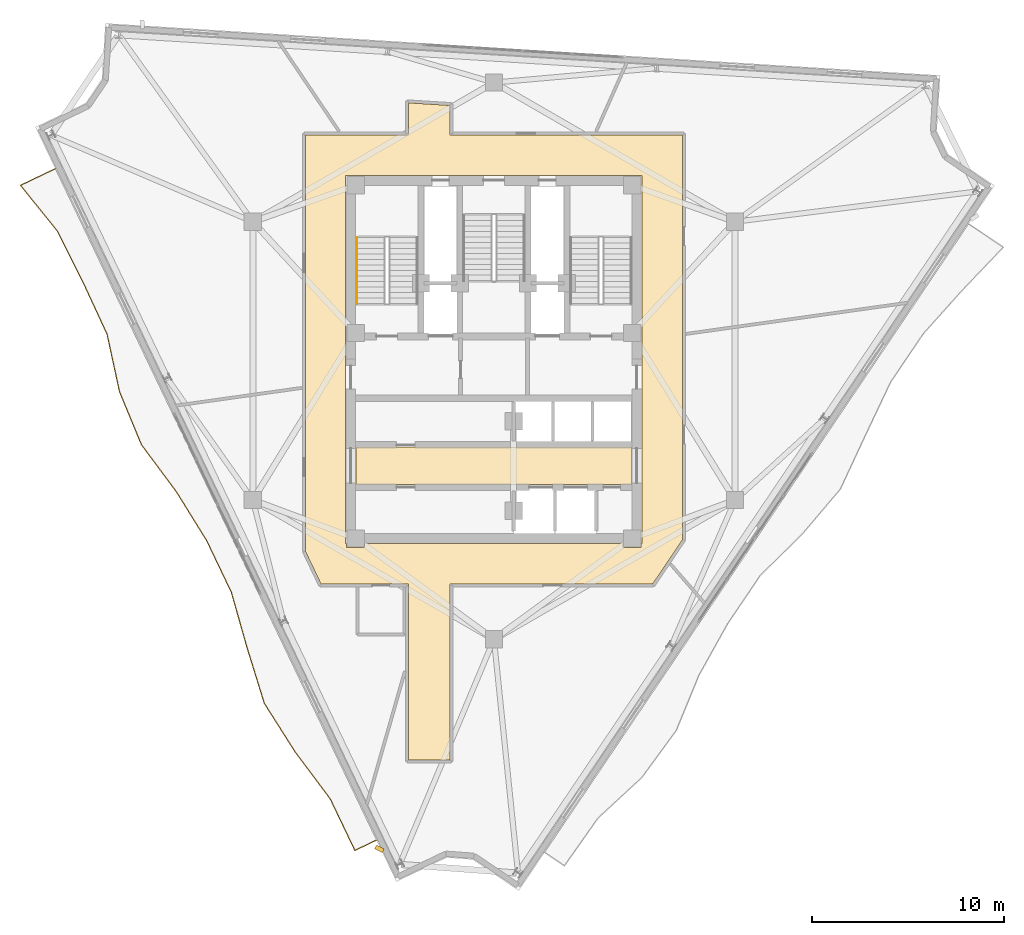
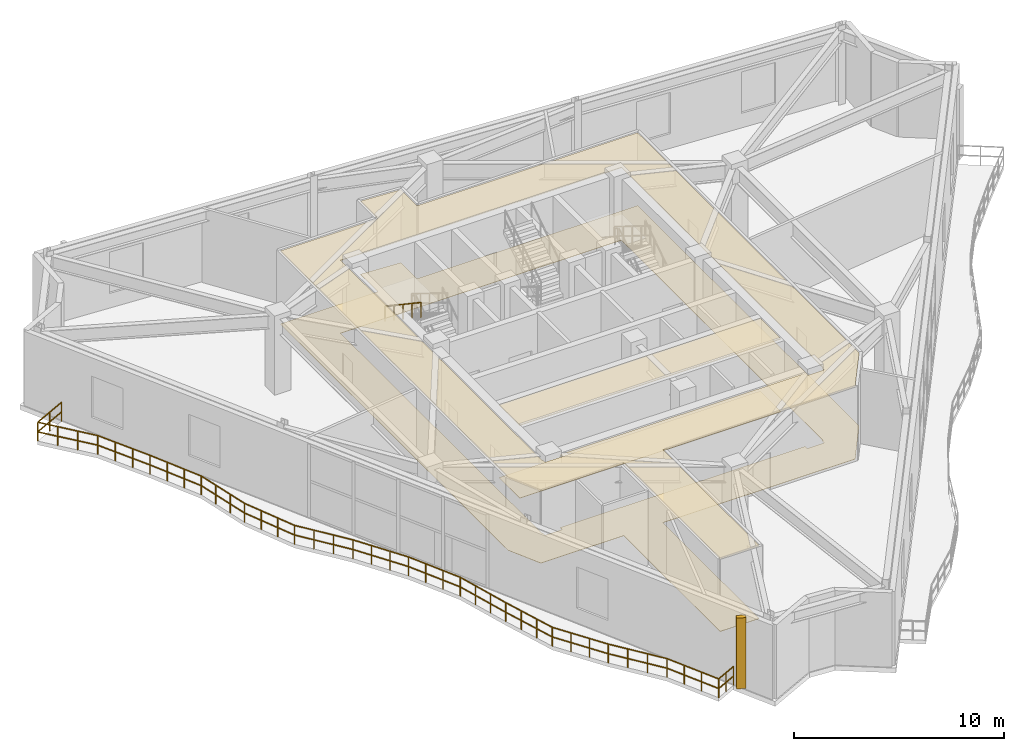
# One storey, part 13 of 15: 4 coverings, 2 railings, 1 shading device.
"""IFC4 building model written with IfcOpenShell, lengths in metres."""

import ifcopenshell
import ifcopenshell.guid

model = None  # the IFC model being written
_history = None  # IfcOwnerHistory: only IFC2X3 demands one
_inside = {}  # id of a spatial element -> (the spatial element, [elements in it])
_under = {}  # id of a project, library or spatial element -> (it, [spatial elements below it])
_declared = {}  # id of a project -> (the project, [libraries it declares])
_typed = {}  # id of a type object -> (the type object, [elements of that type])
_made_of = {}  # id of a material, layer set ... -> (it, [elements and type objects made of it])


def new_model(schema):
    """Start an empty IFC model of exactly this schema.

    Asked for "IFC4X3", IfcOpenShell would pick the latest addendum, in which some entities
    have other attributes; the version numbers below select the first issue.
    IFC2X3 requires an IfcOwnerHistory on every rooted entity: one is made here for all.
    """
    global model, _history
    if schema == "IFC4X3":
        model = ifcopenshell.file(schema_version=(4, 3, 0, 0))
    else:
        model = ifcopenshell.file(schema=schema)
    _inside.clear()
    _under.clear()
    _declared.clear()
    _typed.clear()
    _made_of.clear()
    _history = None
    if model.schema == "IFC2X3":
        org = make("IfcOrganization", Name="unknown")
        user = make(
            "IfcPersonAndOrganization",
            ThePerson=make("IfcPerson", FamilyName="unknown"),
            TheOrganization=org,
        )
        app = make(
            "IfcApplication",
            ApplicationDeveloper=org,
            Version="unknown",
            ApplicationFullName="unknown",
            ApplicationIdentifier="unknown",
        )
        _history = make(
            "IfcOwnerHistory",
            OwningUser=user,
            OwningApplication=app,
            ChangeAction="ADDED",
            CreationDate=0,
        )
    return model


def make(cls, **values):
    """One entity of the class cls with the attributes given. An attribute that is None is left unset."""
    return model.create_entity(
        cls, **{name: value for name, value in values.items() if value is not None}
    )


def rooted(cls, **values):
    """An entity with a GlobalId (a new one), such as an element, a storey or a relation."""
    return make(cls, GlobalId=ifcopenshell.guid.new(), OwnerHistory=_history, **values)


def si_unit(unit_type, name, prefix=None):
    """IfcSIUnit, for example si_unit("LENGTHUNIT", "METRE", prefix="MILLI")."""
    return make("IfcSIUnit", UnitType=unit_type, Prefix=prefix, Name=name)


def assignment(units):
    """IfcUnitAssignment: the units of a project."""
    return None if units is None else make("IfcUnitAssignment", Units=units)


def point(xyz):
    """IfcCartesianPoint."""
    return None if xyz is None else make("IfcCartesianPoint", Coordinates=xyz)


def direction(xyz):
    """IfcDirection."""
    return None if xyz is None else make("IfcDirection", DirectionRatios=xyz)


def frame(location, z_axis=None, x_axis=None):
    """IfcAxis2Placement3D, a coordinate frame: its origin and axes. An axis left out is left unset."""
    return make(
        "IfcAxis2Placement3D",
        Location=point(location),
        Axis=direction(z_axis),
        RefDirection=direction(x_axis),
    )


def frame_2d(location, x_axis=None):
    """IfcAxis2Placement2D, a coordinate frame in the plane: its origin and x axis."""
    return make(
        "IfcAxis2Placement2D", Location=point(location), RefDirection=direction(x_axis)
    )


def origin():
    """The frame at (0, 0, 0) with its axes left unset."""
    return frame((0.0, 0.0, 0.0))


def origin_2d():
    """The frame at (0, 0) in the plane with its x axis left unset."""
    return frame_2d((0.0, 0.0))


def place(relative_to, where):
    """IfcLocalPlacement: puts the frame where relative to a parent placement (None: the world)."""
    return make(
        "IfcLocalPlacement", PlacementRelTo=relative_to, RelativePlacement=where
    )


def context(
    kind, dimensions, precision=None, world=None, true_north=None, identifier=None
):
    """IfcGeometricRepresentationContext, for example the 3D "Model" context."""
    return make(
        "IfcGeometricRepresentationContext",
        ContextIdentifier=identifier,
        ContextType=kind,
        CoordinateSpaceDimension=dimensions,
        Precision=precision,
        WorldCoordinateSystem=world,
        TrueNorth=true_north,
    )


def subcontext(parent, identifier, kind, view, scale=None):
    """IfcGeometricRepresentationSubContext, for example "Body" below "Model"."""
    return make(
        "IfcGeometricRepresentationSubContext",
        ContextIdentifier=identifier,
        ContextType=kind,
        ParentContext=parent,
        TargetScale=scale,
        TargetView=view,
    )


def project(units=None, contexts=None):
    """IfcProject with its units and contexts."""
    return rooted(
        "IfcProject",
        Name="project",
        RepresentationContexts=contexts,
        UnitsInContext=assignment(units),
    )


def spatial(cls, under=None, at=None, **own):
    """A site, building, storey or space (cls), placed at a placement, below another one or the project."""
    s = rooted(cls, ObjectPlacement=at, **own)
    if under is not None:
        _under.setdefault(under.id(), (under, []))[1].append(s)
    return s


def polyline(points):
    """IfcPolyline through the points."""
    return make("IfcPolyline", Points=[point(p) for p in points])


def profile(cls, at=None, kind="AREA", **sizes):
    """A parametric profile (cls). Its sizes go by their IFC names, for example OverallWidth=200.0."""
    return make(cls, ProfileType=kind, Position=at, **sizes)


def rectangle(**sizes):
    """IfcRectangleProfileDef."""
    return profile("IfcRectangleProfileDef", **sizes)


def outline(outer, holes=None, kind="AREA"):
    """IfcArbitraryClosedProfileDef: a profile drawn as a closed curve; with holes, ...WithVoids."""
    if holes is None:
        return make("IfcArbitraryClosedProfileDef", ProfileType=kind, OuterCurve=outer)
    return make(
        "IfcArbitraryProfileDefWithVoids",
        ProfileType=kind,
        OuterCurve=outer,
        InnerCurves=holes,
    )


def extrude(swept, where, along, depth):
    """IfcExtrudedAreaSolid: the profile swept, set in the frame where, extruded along a direction by depth."""
    return make(
        "IfcExtrudedAreaSolid",
        SweptArea=swept,
        Position=where,
        ExtrudedDirection=direction(along),
        Depth=depth,
    )


def shape(context_of_items, identifier, shape_type, items):
    """IfcShapeRepresentation: the items that make up one representation, for example the "Body"."""
    return make(
        "IfcShapeRepresentation",
        ContextOfItems=context_of_items,
        RepresentationIdentifier=identifier,
        RepresentationType=shape_type,
        Items=items,
    )


def material(Name=None, Category=None):
    """IfcMaterial."""
    return make("IfcMaterial", Name=Name, Category=Category)


def layer(
    of_material, thickness, ventilated=None, Name=None, Category=None, Priority=None
):
    """IfcMaterialLayer: one layer of a wall or slab, of a material (None: an air gap)."""
    return make(
        "IfcMaterialLayer",
        Material=of_material,
        LayerThickness=thickness,
        IsVentilated=ventilated,
        Name=Name,
        Category=Category,
        Priority=Priority,
    )


def layer_set(layers, Name=None):
    """IfcMaterialLayerSet."""
    return make("IfcMaterialLayerSet", MaterialLayers=layers, LayerSetName=Name)


def made_of(thing, what):
    """Note that an element or type object is made of a material, layer set ...; save() writes the relation."""
    if what is not None:
        _made_of.setdefault(what.id(), (what, []))[1].append(thing)
    return thing


def type_object(cls, material=None, **own):
    """A type object (cls), such as IfcWallType, which elements share."""
    return made_of(rooted(cls, **own), material)


def element(
    cls,
    number,
    at=None,
    inside=None,
    cuts=None,
    type_object=None,
    material=None,
    context=None,
    identifier="Body",
    shape_type=None,
    held_by="IfcProductDefinitionShape",
    body=None,
    shapes=None,
    **own,
):
    """One element of the class cls, such as IfcWall. Its Tag is "e" and its number.

    at: its placement. inside: the storey or other place that contains it. cuts: it is an
    opening in that element (IfcRelVoidsElement). A single representation is given by context,
    identifier, shape_type and body (its items); several are given by shapes. held_by: the class
    of the entity that holds the representations. save() writes the other relations.
    """
    e = rooted(cls, Tag="e%d" % number, ObjectPlacement=at, **own)
    if body is not None:
        shapes = [shape(context, identifier, shape_type, body)]
    if shapes is not None:
        e.Representation = make(held_by, Representations=shapes)
    if inside is not None:
        _inside.setdefault(inside.id(), (inside, []))[1].append(e)
    if cuts is not None:
        rooted(
            "IfcRelVoidsElement", RelatingBuildingElement=cuts, RelatedOpeningElement=e
        )
    if type_object is not None:
        _typed.setdefault(type_object.id(), (type_object, []))[1].append(e)
    return made_of(e, material)


def aggregate(whole, parts):
    """IfcRelAggregates: a whole, such as a stair, and the parts it consists of."""
    return rooted("IfcRelAggregates", RelatingObject=whole, RelatedObjects=parts)


def save(model, path):
    """Write the relations noted so far, then the file.

    IfcRelAggregates (storeys below a building ...), IfcRelContainedInSpatialStructure (elements
    in a storey), IfcRelDefinesByType, IfcRelAssociatesMaterial and IfcRelDeclares: one each for
    every whole, place, type object, material and project.
    """
    for whole, parts in _under.values():
        aggregate(whole, parts)
    for where, things in _inside.values():
        rooted(
            "IfcRelContainedInSpatialStructure",
            RelatedElements=things,
            RelatingStructure=where,
        )
    for kind, things in _typed.values():
        rooted("IfcRelDefinesByType", RelatedObjects=things, RelatingType=kind)
    for what, things in _made_of.values():
        rooted("IfcRelAssociatesMaterial", RelatedObjects=things, RelatingMaterial=what)
    for by, libraries in _declared.values():
        rooted("IfcRelDeclares", RelatingContext=by, RelatedDefinitions=libraries)
    model.write(path)


model = new_model("IFC4")

# Units and contexts
model_context = context("Model", 3, precision=1e-05, world=origin(), true_north=direction((0.0, 1.0)))
body_context = subcontext(model_context, "Body", "Model", "MODEL_VIEW")
ifc_project = project(units=[si_unit("LENGTHUNIT", "METRE"), si_unit("AREAUNIT", "SQUARE_METRE"), si_unit("VOLUMEUNIT", "CUBIC_METRE"), si_unit("PLANEANGLEUNIT", "RADIAN"), si_unit("MASSUNIT", "GRAM", prefix="KILO")], contexts=[model_context])

# Site, building, storey
site_placement = place(None, origin())
site = spatial("IfcSite", under=ifc_project, at=site_placement, CompositionType="ELEMENT")
building_placement = place(site_placement, origin())
building = spatial("IfcBuilding", under=site, at=building_placement, Name="Apsidion Concourse Tower", CompositionType="ELEMENT")
storey_placement = place(building_placement, frame((0.0, 0.0, 318.800048828125)))
storey = spatial("IfcBuildingStorey", under=building, at=storey_placement, Name="L75", CompositionType="ELEMENT", Elevation=318.800048828125)

# Coverings
ifc_material_1 = material(Name="Acoustic mineral fibre ceiling")
ifc_layer_1 = layer(ifc_material_1, 0.0400390625)
ifc_layer_set_1 = layer_set([ifc_layer_1], Name="Acoustic mineral fibre ceiling")
covering_type_1 = type_object("IfcCoveringType", Name="COV-CEIL-40", PredefinedType="CEILING", material=ifc_layer_set_1)
covering_1_placement = place(storey_placement, frame((0.0, 0.0, 4.219970703125)))
element("IfcCovering", 1, at=covering_1_placement, inside=storey, type_object=covering_type_1, Name="L75 Acoustic Ceiling Grid 1", PredefinedType="CEILING", context=body_context, shape_type="SweptSolid", body=[
    extrude(outline(polyline([(-7.179931640625, -6.449951171875), (-7.179931640625, -4.47998046875), (7.179931640625, -4.47998046875), (7.179931640625, -6.449951171875), (-7.179931640625, -6.449951171875)])), origin(), (0.0, 0.0, 1.0), 0.0400390625),
])
covering_2_placement = place(storey_placement, frame((0.0, 0.0, 4.219970703125)))
element("IfcCovering", 2, at=covering_2_placement, inside=storey, type_object=covering_type_1, Name="L75 Acoustic Ceiling Grid 2", PredefinedType="CEILING", context=body_context, shape_type="SweptSolid", body=[
    extrude(outline(polyline([(-9.006103515625, -11.6201171875), (-9.820068359375, -9.9189453125), (-9.820068359375, 11.77001953125), (-4.449951171875, 11.77001953125), (-4.449951171875, 13.4423828125), (-2.300048828125, 13.30810546875), (-2.300048828125, 11.77001953125), (9.820068359375, 11.77001953125), (9.820068359375, -9.323974609375), (8.271240234375, -11.6201171875), (-2.300048828125, -11.6201171875), (-2.300048828125, -20.800048828125), (-4.449951171875, -20.800048828125), (-4.449951171875, -11.6201171875), (-9.006103515625, -11.6201171875)]), holes=[polyline([(-2.300048828125, 9.669921875), (-4.449951171875, 9.669921875), (-7.719970703125, 9.669921875), (-7.719970703125, -9.52001953125), (-7.669921875, -9.52001953125), (-7.669921875, -9.699951171875), (-7.669921875, -9.701904296875), (-7.669677734375, -9.703857421875), (-7.669189453125, -9.705810546875), (-7.66845703125, -9.707763671875), (-7.66748046875, -9.70947265625), (-7.66650390625, -9.711181640625), (-7.66552734375, -9.712646484375), (-7.6640625, -9.714111328125), (-7.66259765625, -9.715576171875), (-7.6611328125, -9.716552734375), (-7.659423828125, -9.717529296875), (-7.65771484375, -9.718505859375), (-7.65576171875, -9.718994140625), (-7.65380859375, -9.719482421875), (-7.652099609375, -9.719970703125), (-7.64990234375, -9.719970703125), (-6.75, -9.719970703125), (-6.748046875, -9.719970703125), (-6.74609375, -9.719482421875), (-6.744140625, -9.718994140625), (-6.7421875, -9.718505859375), (-6.740478515625, -9.717529296875), (-6.739013671875, -9.716552734375), (-6.7373046875, -9.715576171875), (-6.73583984375, -9.714111328125), (-6.734619140625, -9.712646484375), (-6.7333984375, -9.711181640625), (-6.732421875, -9.70947265625), (-6.7314453125, -9.707763671875), (-6.73095703125, -9.705810546875), (-6.73046875, -9.703857421875), (-6.72998046875, -9.701904296875), (-6.72998046875, -9.699951171875), (-6.72998046875, -9.52001953125), (-4.449951171875, -9.52001953125), (-2.300048828125, -9.52001953125), (6.72998046875, -9.52001953125), (6.72998046875, -9.699951171875), (6.72998046875, -9.701904296875), (6.73046875, -9.703857421875), (6.73095703125, -9.705810546875), (6.7314453125, -9.707763671875), (6.732421875, -9.70947265625), (6.7333984375, -9.711181640625), (6.734619140625, -9.712646484375), (6.73583984375, -9.714111328125), (6.7373046875, -9.715576171875), (6.739013671875, -9.716552734375), (6.740478515625, -9.717529296875), (6.7421875, -9.718505859375), (6.744140625, -9.718994140625), (6.74609375, -9.719482421875), (6.748046875, -9.719970703125), (6.75, -9.719970703125), (7.64990234375, -9.719970703125), (7.652099609375, -9.719970703125), (7.65380859375, -9.719482421875), (7.65576171875, -9.718994140625), (7.65771484375, -9.718505859375), (7.659423828125, -9.717529296875), (7.6611328125, -9.716552734375), (7.66259765625, -9.715576171875), (7.6640625, -9.714111328125), (7.66552734375, -9.712646484375), (7.66650390625, -9.711181640625), (7.66748046875, -9.70947265625), (7.66845703125, -9.707763671875), (7.669189453125, -9.705810546875), (7.669677734375, -9.703857421875), (7.669921875, -9.701904296875), (7.669921875, -9.699951171875), (7.669921875, -9.52001953125), (7.719970703125, -9.52001953125), (7.719970703125, 9.669921875), (-2.300048828125, 9.669921875)])]), origin(), (0.0, 0.0, 1.0), 0.0400390625),
])
ifc_material_2 = material(Name="Honed travertine floor finish", Category="masonry")
ifc_layer_2 = layer(ifc_material_2, 0.02001953125)
ifc_layer_set_2 = layer_set([ifc_layer_2], Name="Honed travertine floor finish")
covering_type_2 = type_object("IfcCoveringType", Name="COV-FLOR-20", PredefinedType="FLOORING", material=ifc_layer_set_2)
covering_3_placement = place(storey_placement, origin())
element("IfcCovering", 3, at=covering_3_placement, inside=storey, type_object=covering_type_2, Name="L75 Honed Travertine Floor Finish 1", PredefinedType="FLOORING", context=body_context, shape_type="SweptSolid", body=[
    extrude(outline(polyline([(-7.179931640625, -6.449951171875), (-7.179931640625, -4.47998046875), (7.179931640625, -4.47998046875), (7.179931640625, -6.449951171875), (-7.179931640625, -6.449951171875)])), origin(), (0.0, 0.0, 1.0), 0.02001953125),
])
covering_4_placement = place(storey_placement, origin())
element("IfcCovering", 4, at=covering_4_placement, inside=storey, type_object=covering_type_2, Name="L75 Honed Travertine Floor Finish 2", PredefinedType="FLOORING", context=body_context, shape_type="SweptSolid", body=[
    extrude(outline(polyline([(-9.006103515625, -11.6201171875), (-9.820068359375, -9.9189453125), (-9.820068359375, 11.77001953125), (-4.449951171875, 11.77001953125), (-4.449951171875, 13.4423828125), (-2.300048828125, 13.30810546875), (-2.300048828125, 11.77001953125), (9.820068359375, 11.77001953125), (9.820068359375, -9.323974609375), (8.271240234375, -11.6201171875), (-2.300048828125, -11.6201171875), (-2.300048828125, -20.800048828125), (-4.449951171875, -20.800048828125), (-4.449951171875, -11.6201171875), (-9.006103515625, -11.6201171875)]), holes=[polyline([(-2.300048828125, 9.669921875), (-4.449951171875, 9.669921875), (-7.719970703125, 9.669921875), (-7.719970703125, -9.52001953125), (-7.669921875, -9.52001953125), (-7.669921875, -9.699951171875), (-7.669921875, -9.701904296875), (-7.669677734375, -9.703857421875), (-7.669189453125, -9.705810546875), (-7.66845703125, -9.707763671875), (-7.66748046875, -9.70947265625), (-7.66650390625, -9.711181640625), (-7.66552734375, -9.712646484375), (-7.6640625, -9.714111328125), (-7.66259765625, -9.715576171875), (-7.6611328125, -9.716552734375), (-7.659423828125, -9.717529296875), (-7.65771484375, -9.718505859375), (-7.65576171875, -9.718994140625), (-7.65380859375, -9.719482421875), (-7.652099609375, -9.719970703125), (-7.64990234375, -9.719970703125), (-6.75, -9.719970703125), (-6.748046875, -9.719970703125), (-6.74609375, -9.719482421875), (-6.744140625, -9.718994140625), (-6.7421875, -9.718505859375), (-6.740478515625, -9.717529296875), (-6.739013671875, -9.716552734375), (-6.7373046875, -9.715576171875), (-6.73583984375, -9.714111328125), (-6.734619140625, -9.712646484375), (-6.7333984375, -9.711181640625), (-6.732421875, -9.70947265625), (-6.7314453125, -9.707763671875), (-6.73095703125, -9.705810546875), (-6.73046875, -9.703857421875), (-6.72998046875, -9.701904296875), (-6.72998046875, -9.699951171875), (-6.72998046875, -9.52001953125), (-4.449951171875, -9.52001953125), (-2.300048828125, -9.52001953125), (6.72998046875, -9.52001953125), (6.72998046875, -9.699951171875), (6.72998046875, -9.701904296875), (6.73046875, -9.703857421875), (6.73095703125, -9.705810546875), (6.7314453125, -9.707763671875), (6.732421875, -9.70947265625), (6.7333984375, -9.711181640625), (6.734619140625, -9.712646484375), (6.73583984375, -9.714111328125), (6.7373046875, -9.715576171875), (6.739013671875, -9.716552734375), (6.740478515625, -9.717529296875), (6.7421875, -9.718505859375), (6.744140625, -9.718994140625), (6.74609375, -9.719482421875), (6.748046875, -9.719970703125), (6.75, -9.719970703125), (7.64990234375, -9.719970703125), (7.652099609375, -9.719970703125), (7.65380859375, -9.719482421875), (7.65576171875, -9.718994140625), (7.65771484375, -9.718505859375), (7.659423828125, -9.717529296875), (7.6611328125, -9.716552734375), (7.66259765625, -9.715576171875), (7.6640625, -9.714111328125), (7.66552734375, -9.712646484375), (7.66650390625, -9.711181640625), (7.66748046875, -9.70947265625), (7.66845703125, -9.707763671875), (7.669189453125, -9.705810546875), (7.669677734375, -9.703857421875), (7.669921875, -9.701904296875), (7.669921875, -9.699951171875), (7.669921875, -9.52001953125), (7.719970703125, -9.52001953125), (7.719970703125, 9.669921875), (-2.300048828125, 9.669921875)])]), origin(), (0.0, 0.0, 1.0), 0.02001953125),
])

# Railings
ifc_material_3 = material(Name="Brushed stainless steel 316", Category="steel")
railing_type_1 = type_object("IfcRailingType", Name="RL-BAL-1120", PredefinedType="BALUSTRADE", material=ifc_material_3)
railing_1_placement = place(storey_placement, frame((-6.1181640625, -24.96630859375, 0.0)))
element("IfcRailing", 5, at=railing_1_placement, inside=storey, type_object=railing_type_1, Name="L75 Face 1 Rippling Balcony Balustrade", PredefinedType="BALUSTRADE", context=body_context, shape_type="SweptSolid", body=[
    extrude(rectangle(XDim=0.048095703125, YDim=0.048095703125, at=origin_2d()), frame((0.0, 0.0, 1.09619140625), z_axis=(-0.902104466903, -0.431517706234, 0.0), x_axis=(0.431517706234, -0.902104466903, 0.0)), (0.0, 0.0, 1.0), 1.249755859375),
    extrude(rectangle(XDim=0.048095703125, YDim=0.048095703125, at=origin_2d()), frame((0.0, 0.0, 0.5361328125), z_axis=(-0.902104466903, -0.431517706234, 0.0), x_axis=(0.431517706234, -0.902104466903, 0.0)), (0.0, 0.0, 1.0), 1.249755859375),
    extrude(rectangle(XDim=0.048095703125, YDim=0.048095703125, at=origin_2d()), frame((-1.12744140625, -0.539306640625, 1.09619140625), z_axis=(-0.431629243963, 0.902051104847, 0.0), x_axis=(-0.902051104847, -0.431629243963, 0.0)), (0.0, 0.0, 1.0), 2.983154296875),
    extrude(rectangle(XDim=0.048095703125, YDim=0.048095703125, at=origin_2d()), frame((-1.12744140625, -0.539306640625, 0.5361328125), z_axis=(-0.431629243963, 0.902051104847, 0.0), x_axis=(-0.902051104847, -0.431629243963, 0.0)), (0.0, 0.0, 1.0), 2.983154296875),
    extrude(rectangle(XDim=0.048095703125, YDim=0.048095703125, at=origin_2d()), frame((-2.4150390625, 2.151611328125, 1.09619140625), z_axis=(-0.598907598922, 0.800818136629, 0.0), x_axis=(-0.800818136629, -0.598907598922, 0.0)), (0.0, 0.0, 1.0), 3.041015625),
    extrude(rectangle(XDim=0.048095703125, YDim=0.048095703125, at=origin_2d()), frame((-2.4150390625, 2.151611328125, 0.5361328125), z_axis=(-0.598907598922, 0.800818136629, 0.0), x_axis=(-0.800818136629, -0.598907598922, 0.0)), (0.0, 0.0, 1.0), 3.041015625),
    extrude(rectangle(XDim=0.048095703125, YDim=0.048095703125, at=origin_2d()), frame((-4.236328125, 4.5869140625, 1.09619140625), z_axis=(-0.535655099648, 0.844436862188, 0.0), x_axis=(-0.844436862188, -0.535655099648, 0.0)), (0.0, 0.0, 1.0), 3.00439453125),
    extrude(rectangle(XDim=0.048095703125, YDim=0.048095703125, at=origin_2d()), frame((-4.236328125, 4.5869140625, 0.5361328125), z_axis=(-0.535655099648, 0.844436862188, 0.0), x_axis=(-0.844436862188, -0.535655099648, 0.0)), (0.0, 0.0, 1.0), 3.00439453125),
    extrude(rectangle(XDim=0.048095703125, YDim=0.048095703125, at=origin_2d()), frame((-5.845703125, 7.1240234375, 1.09619140625), z_axis=(-0.296554586693, 0.955015904114, 0.0), x_axis=(-0.955015904114, -0.296554586693, 0.0)), (0.0, 0.0, 1.0), 3.0146484375),
    extrude(rectangle(XDim=0.048095703125, YDim=0.048095703125, at=origin_2d()), frame((-5.845703125, 7.1240234375, 0.5361328125), z_axis=(-0.296554586693, 0.955015904114, 0.0), x_axis=(-0.955015904114, -0.296554586693, 0.0)), (0.0, 0.0, 1.0), 3.0146484375),
    extrude(rectangle(XDim=0.048095703125, YDim=0.048095703125, at=origin_2d()), frame((-6.73974609375, 10.003173828125, 1.09619140625), z_axis=(-0.272632438897, 0.962118263656, 0.0), x_axis=(-0.962118263656, -0.272632438897, 0.0)), (0.0, 0.0, 1.0), 3.02685546875),
    extrude(rectangle(XDim=0.048095703125, YDim=0.048095703125, at=origin_2d()), frame((-6.73974609375, 10.003173828125, 0.5361328125), z_axis=(-0.272632438897, 0.962118263656, 0.0), x_axis=(-0.962118263656, -0.272632438897, 0.0)), (0.0, 0.0, 1.0), 3.02685546875),
    extrude(rectangle(XDim=0.048095703125, YDim=0.048095703125, at=origin_2d()), frame((-7.56494140625, 12.915283203125, 1.09619140625), z_axis=(-0.431629243963, 0.902051104847, 0.0), x_axis=(-0.902051104847, -0.431629243963, 0.0)), (0.0, 0.0, 1.0), 2.983154296875),
    extrude(rectangle(XDim=0.048095703125, YDim=0.048095703125, at=origin_2d()), frame((-7.56494140625, 12.915283203125, 0.5361328125), z_axis=(-0.431629243963, 0.902051104847, 0.0), x_axis=(-0.902051104847, -0.431629243963, 0.0)), (0.0, 0.0, 1.0), 2.983154296875),
    extrude(rectangle(XDim=0.048095703125, YDim=0.048095703125, at=origin_2d()), frame((-8.8525390625, 15.606201171875, 1.09619140625), z_axis=(-0.526967877714, 0.849885201576, 0.0), x_axis=(-0.849885201576, -0.526967877714, 0.0)), (0.0, 0.0, 1.0), 3.000732421875),
    extrude(rectangle(XDim=0.048095703125, YDim=0.048095703125, at=origin_2d()), frame((-8.8525390625, 15.606201171875, 0.5361328125), z_axis=(-0.526967877714, 0.849885201576, 0.0), x_axis=(-0.849885201576, -0.526967877714, 0.0)), (0.0, 0.0, 1.0), 3.000732421875),
    extrude(rectangle(XDim=0.048095703125, YDim=0.048095703125, at=origin_2d()), frame((-10.433837890625, 18.156494140625, 1.09619140625), z_axis=(-0.596498498061, 0.802614192381, 0.0), x_axis=(-0.802614192381, -0.596498498061, 0.0)), (0.0, 0.0, 1.0), 3.039306640625),
    extrude(rectangle(XDim=0.048095703125, YDim=0.048095703125, at=origin_2d()), frame((-10.433837890625, 18.156494140625, 0.5361328125), z_axis=(-0.596498498061, 0.802614192381, 0.0), x_axis=(-0.802614192381, -0.596498498061, 0.0)), (0.0, 0.0, 1.0), 3.039306640625),
    extrude(rectangle(XDim=0.048095703125, YDim=0.048095703125, at=origin_2d()), frame((-12.246826171875, 20.595947265625, 1.09619140625), z_axis=(-0.382298859011, 0.924038734253, 0.0), x_axis=(-0.924038734253, -0.382298859011, 0.0)), (0.0, 0.0, 1.0), 2.987548828125),
    extrude(rectangle(XDim=0.048095703125, YDim=0.048095703125, at=origin_2d()), frame((-12.246826171875, 20.595947265625, 0.5361328125), z_axis=(-0.382298859011, 0.924038734253, 0.0), x_axis=(-0.924038734253, -0.382298859011, 0.0)), (0.0, 0.0, 1.0), 2.987548828125),
    extrude(rectangle(XDim=0.048095703125, YDim=0.048095703125, at=origin_2d()), frame((-13.388916015625, 23.3564453125, 1.09619140625), z_axis=(-0.211649401423, 0.977345655783, 0.0), x_axis=(-0.977345655783, -0.211649401423, 0.0)), (0.0, 0.0, 1.0), 3.066162109375),
    extrude(rectangle(XDim=0.048095703125, YDim=0.048095703125, at=origin_2d()), frame((-13.388916015625, 23.3564453125, 0.5361328125), z_axis=(-0.211649401423, 0.977345655783, 0.0), x_axis=(-0.977345655783, -0.211649401423, 0.0)), (0.0, 0.0, 1.0), 3.066162109375),
    extrude(rectangle(XDim=0.048095703125, YDim=0.048095703125, at=origin_2d()), frame((-14.037841796875, 26.35302734375, 1.09619140625), z_axis=(-0.419670477517, 0.907676533959, 0.0), x_axis=(-0.907676533959, -0.419670477517, 0.0)), (0.0, 0.0, 1.0), 2.983154296875),
    extrude(rectangle(XDim=0.048095703125, YDim=0.048095703125, at=origin_2d()), frame((-14.037841796875, 26.35302734375, 0.5361328125), z_axis=(-0.419670477517, 0.907676533959, 0.0), x_axis=(-0.907676533959, -0.419670477517, 0.0)), (0.0, 0.0, 1.0), 2.983154296875),
    extrude(rectangle(XDim=0.048095703125, YDim=0.048095703125, at=origin_2d()), frame((-15.289794921875, 29.060791015625, 1.09619140625), z_axis=(-0.448227916411, 0.893919311207, 0.0), x_axis=(-0.893919311207, -0.448227916411, 0.0)), (0.0, 0.0, 1.0), 2.983642578125),
    extrude(rectangle(XDim=0.048095703125, YDim=0.048095703125, at=origin_2d()), frame((-15.289794921875, 29.060791015625, 0.5361328125), z_axis=(-0.448227916411, 0.893919311207, 0.0), x_axis=(-0.893919311207, -0.448227916411, 0.0)), (0.0, 0.0, 1.0), 2.983642578125),
    extrude(rectangle(XDim=0.048095703125, YDim=0.048095703125, at=origin_2d()), frame((-16.627197265625, 31.72802734375, 1.09619140625), z_axis=(-0.627333563292, 0.778750666367, 0.0), x_axis=(-0.778750666367, -0.627333563292, 0.0)), (0.0, 0.0, 1.0), 3.065185546875),
    extrude(rectangle(XDim=0.048095703125, YDim=0.048095703125, at=origin_2d()), frame((-16.627197265625, 31.72802734375, 0.5361328125), z_axis=(-0.627333563292, 0.778750666367, 0.0), x_axis=(-0.778750666367, -0.627333563292, 0.0)), (0.0, 0.0, 1.0), 3.065185546875),
    extrude(rectangle(XDim=0.048095703125, YDim=0.048095703125, at=origin_2d()), frame((-18.550048828125, 34.114990234375, 1.09619140625), z_axis=(0.902091040111, 0.43154577434, 0.0), x_axis=(-0.43154577434, 0.902091040111, 0.0)), (0.0, 0.0, 1.0), 2.009521484375),
    extrude(rectangle(XDim=0.048095703125, YDim=0.048095703125, at=origin_2d()), frame((-18.550048828125, 34.114990234375, 0.5361328125), z_axis=(0.902091040111, 0.43154577434, 0.0), x_axis=(-0.43154577434, 0.902091040111, 0.0)), (0.0, 0.0, 1.0), 2.009521484375),
    extrude(rectangle(XDim=0.0419921875, YDim=0.0419921875, at=origin_2d()), origin(), (0.0, 0.0, 1.0), 1.072021484375),
    extrude(rectangle(XDim=0.0419921875, YDim=0.0419921875, at=origin_2d()), frame((-0.563720703125, -0.26953125, 0.0)), (0.0, 0.0, 1.0), 1.072021484375),
    extrude(rectangle(XDim=0.0419921875, YDim=0.0419921875, at=origin_2d()), frame((-1.12744140625, -0.539306640625, 0.0)), (0.0, 0.0, 1.0), 1.072021484375),
    extrude(rectangle(XDim=0.0419921875, YDim=0.0419921875, at=origin_2d()), frame((-1.556640625, 0.357666015625, 0.0)), (0.0, 0.0, 1.0), 1.072021484375),
    extrude(rectangle(XDim=0.0419921875, YDim=0.0419921875, at=origin_2d()), frame((-1.98583984375, 1.254638671875, 0.0)), (0.0, 0.0, 1.0), 1.072021484375),
    extrude(rectangle(XDim=0.0419921875, YDim=0.0419921875, at=origin_2d()), frame((-2.4150390625, 2.151611328125, 0.0)), (0.0, 0.0, 1.0), 1.072021484375),
    extrude(rectangle(XDim=0.0419921875, YDim=0.0419921875, at=origin_2d()), frame((-3.022216796875, 2.96337890625, 0.0)), (0.0, 0.0, 1.0), 1.072021484375),
    extrude(rectangle(XDim=0.0419921875, YDim=0.0419921875, at=origin_2d()), frame((-3.629150390625, 3.775146484375, 0.0)), (0.0, 0.0, 1.0), 1.072021484375),
    extrude(rectangle(XDim=0.0419921875, YDim=0.0419921875, at=origin_2d()), frame((-4.236328125, 4.5869140625, 0.0)), (0.0, 0.0, 1.0), 1.072021484375),
    extrude(rectangle(XDim=0.0419921875, YDim=0.0419921875, at=origin_2d()), frame((-4.772705078125, 5.4326171875, 0.0)), (0.0, 0.0, 1.0), 1.072021484375),
    extrude(rectangle(XDim=0.0419921875, YDim=0.0419921875, at=origin_2d()), frame((-5.309326171875, 6.2783203125, 0.0)), (0.0, 0.0, 1.0), 1.072021484375),
    extrude(rectangle(XDim=0.0419921875, YDim=0.0419921875, at=origin_2d()), frame((-5.845703125, 7.1240234375, 0.0)), (0.0, 0.0, 1.0), 1.072021484375),
    extrude(rectangle(XDim=0.0419921875, YDim=0.0419921875, at=origin_2d()), frame((-6.143798828125, 8.083740234375, 0.0)), (0.0, 0.0, 1.0), 1.072021484375),
    extrude(rectangle(XDim=0.0419921875, YDim=0.0419921875, at=origin_2d()), frame((-6.441650390625, 9.04345703125, 0.0)), (0.0, 0.0, 1.0), 1.072021484375),
    extrude(rectangle(XDim=0.0419921875, YDim=0.0419921875, at=origin_2d()), frame((-6.73974609375, 10.003173828125, 0.0)), (0.0, 0.0, 1.0), 1.072021484375),
    extrude(rectangle(XDim=0.0419921875, YDim=0.0419921875, at=origin_2d()), frame((-7.014892578125, 10.973876953125, 0.0)), (0.0, 0.0, 1.0), 1.072021484375),
    extrude(rectangle(XDim=0.0419921875, YDim=0.0419921875, at=origin_2d()), frame((-7.289794921875, 11.944580078125, 0.0)), (0.0, 0.0, 1.0), 1.072021484375),
    extrude(rectangle(XDim=0.0419921875, YDim=0.0419921875, at=origin_2d()), frame((-7.56494140625, 12.915283203125, 0.0)), (0.0, 0.0, 1.0), 1.072021484375),
    extrude(rectangle(XDim=0.0419921875, YDim=0.0419921875, at=origin_2d()), frame((-7.994140625, 13.812255859375, 0.0)), (0.0, 0.0, 1.0), 1.072021484375),
    extrude(rectangle(XDim=0.0419921875, YDim=0.0419921875, at=origin_2d()), frame((-8.42333984375, 14.709228515625, 0.0)), (0.0, 0.0, 1.0), 1.072021484375),
    extrude(rectangle(XDim=0.0419921875, YDim=0.0419921875, at=origin_2d()), frame((-8.8525390625, 15.606201171875, 0.0)), (0.0, 0.0, 1.0), 1.072021484375),
    extrude(rectangle(XDim=0.0419921875, YDim=0.0419921875, at=origin_2d()), frame((-9.379638671875, 16.456298828125, 0.0)), (0.0, 0.0, 1.0), 1.072021484375),
    extrude(rectangle(XDim=0.0419921875, YDim=0.0419921875, at=origin_2d()), frame((-9.90673828125, 17.306396484375, 0.0)), (0.0, 0.0, 1.0), 1.072021484375),
    extrude(rectangle(XDim=0.0419921875, YDim=0.0419921875, at=origin_2d()), frame((-10.433837890625, 18.156494140625, 0.0)), (0.0, 0.0, 1.0), 1.072021484375),
    extrude(rectangle(XDim=0.0419921875, YDim=0.0419921875, at=origin_2d()), frame((-11.0380859375, 18.9697265625, 0.0)), (0.0, 0.0, 1.0), 1.072021484375),
    extrude(rectangle(XDim=0.0419921875, YDim=0.0419921875, at=origin_2d()), frame((-11.642578125, 19.78271484375, 0.0)), (0.0, 0.0, 1.0), 1.072021484375),
    extrude(rectangle(XDim=0.0419921875, YDim=0.0419921875, at=origin_2d()), frame((-12.246826171875, 20.595947265625, 0.0)), (0.0, 0.0, 1.0), 1.072021484375),
    extrude(rectangle(XDim=0.0419921875, YDim=0.0419921875, at=origin_2d()), frame((-12.62744140625, 21.51611328125, 0.0)), (0.0, 0.0, 1.0), 1.072021484375),
    extrude(rectangle(XDim=0.0419921875, YDim=0.0419921875, at=origin_2d()), frame((-13.00830078125, 22.436279296875, 0.0)), (0.0, 0.0, 1.0), 1.072021484375),
    extrude(rectangle(XDim=0.0419921875, YDim=0.0419921875, at=origin_2d()), frame((-13.388916015625, 23.3564453125, 0.0)), (0.0, 0.0, 1.0), 1.072021484375),
    extrude(rectangle(XDim=0.0419921875, YDim=0.0419921875, at=origin_2d()), frame((-13.605224609375, 24.355224609375, 0.0)), (0.0, 0.0, 1.0), 1.072021484375),
    extrude(rectangle(XDim=0.0419921875, YDim=0.0419921875, at=origin_2d()), frame((-13.821533203125, 25.354248046875, 0.0)), (0.0, 0.0, 1.0), 1.072021484375),
    extrude(rectangle(XDim=0.0419921875, YDim=0.0419921875, at=origin_2d()), frame((-14.037841796875, 26.35302734375, 0.0)), (0.0, 0.0, 1.0), 1.072021484375),
    extrude(rectangle(XDim=0.0419921875, YDim=0.0419921875, at=origin_2d()), frame((-14.455078125, 27.255615234375, 0.0)), (0.0, 0.0, 1.0), 1.072021484375),
    extrude(rectangle(XDim=0.0419921875, YDim=0.0419921875, at=origin_2d()), frame((-14.87255859375, 28.158203125, 0.0)), (0.0, 0.0, 1.0), 1.072021484375),
    extrude(rectangle(XDim=0.0419921875, YDim=0.0419921875, at=origin_2d()), frame((-15.289794921875, 29.060791015625, 0.0)), (0.0, 0.0, 1.0), 1.072021484375),
    extrude(rectangle(XDim=0.0419921875, YDim=0.0419921875, at=origin_2d()), frame((-15.735595703125, 29.949951171875, 0.0)), (0.0, 0.0, 1.0), 1.072021484375),
    extrude(rectangle(XDim=0.0419921875, YDim=0.0419921875, at=origin_2d()), frame((-16.181396484375, 30.8388671875, 0.0)), (0.0, 0.0, 1.0), 1.072021484375),
    extrude(rectangle(XDim=0.0419921875, YDim=0.0419921875, at=origin_2d()), frame((-16.627197265625, 31.72802734375, 0.0)), (0.0, 0.0, 1.0), 1.072021484375),
    extrude(rectangle(XDim=0.0419921875, YDim=0.0419921875, at=origin_2d()), frame((-17.26806640625, 32.523681640625, 0.0)), (0.0, 0.0, 1.0), 1.072021484375),
    extrude(rectangle(XDim=0.0419921875, YDim=0.0419921875, at=origin_2d()), frame((-17.9091796875, 33.3193359375, 0.0)), (0.0, 0.0, 1.0), 1.072021484375),
    extrude(rectangle(XDim=0.0419921875, YDim=0.0419921875, at=origin_2d()), frame((-18.550048828125, 34.114990234375, 0.0)), (0.0, 0.0, 1.0), 1.072021484375),
    extrude(rectangle(XDim=0.0419921875, YDim=0.0419921875, at=origin_2d()), frame((-17.6435546875, 34.548583984375, 0.0)), (0.0, 0.0, 1.0), 1.072021484375),
    extrude(rectangle(XDim=0.0419921875, YDim=0.0419921875, at=origin_2d()), frame((-16.7373046875, 34.982177734375, 0.0)), (0.0, 0.0, 1.0), 1.072021484375),
])
railing_type_2 = type_object("IfcRailingType", Name="RL-HAND-900", PredefinedType="HANDRAIL", material=ifc_material_3)
railing_2_placement = place(storey_placement, frame((-7.14990234375, 6.419921875, 2.476806640625)))
element("IfcRailing", 6, at=railing_2_placement, inside=storey, type_object=railing_type_2, Name="L75 ST1 stair handrail 2", PredefinedType="HANDRAIL", context=body_context, shape_type="SweptSolid", body=[
    extrude(rectangle(XDim=0.048095703125, YDim=0.048095703125, at=origin_2d()), frame((0.0, 0.0, 0.8759765625), z_axis=(0.0, -0.8297924358, 0.55807214004), x_axis=(1.0, 0.0, 0.0)), (0.0, 0.0, 1.0), 4.121337890625),
    extrude(rectangle(XDim=0.0419921875, YDim=0.0419921875, at=origin_2d()), origin(), (0.0, 0.0, 1.0), 0.851806640625),
    extrude(rectangle(XDim=0.0419921875, YDim=0.0419921875, at=origin_2d()), frame((0.0, -0.85498046875, 0.574951171875)), (0.0, 0.0, 1.0), 0.851806640625),
    extrude(rectangle(XDim=0.0419921875, YDim=0.0419921875, at=origin_2d()), frame((0.0, -1.7099609375, 1.14990234375)), (0.0, 0.0, 1.0), 0.851806640625),
    extrude(rectangle(XDim=0.0419921875, YDim=0.0419921875, at=origin_2d()), frame((0.0, -2.56494140625, 1.72509765625)), (0.0, 0.0, 1.0), 0.851806640625),
    extrude(rectangle(XDim=0.0419921875, YDim=0.0419921875, at=origin_2d()), frame((0.0, -3.419921875, 2.300048828125)), (0.0, 0.0, 1.0), 0.851806640625),
])

# Shading device
ifc_material_4 = material(Name="Anodised aluminium EN AW-6063 T6", Category="aluminium")
shading_device_type = type_object("IfcShadingDeviceType", Name="SH-FIN-STONE", PredefinedType="USERDEFINED", material=ifc_material_4)
shading_device_placement = place(storey_placement, frame((-5.96826171875, -25.418701171875, 0.099853515625), z_axis=(0.0, 0.0, 1.0), x_axis=(-0.431613491188, -0.902058642343, 0.0)))
element("IfcShadingDevice", 7, at=shading_device_placement, inside=storey, type_object=shading_device_type, Name="L75 Facade Vertical Solar Fin 9", ObjectType="FIN", PredefinedType="USERDEFINED", context=body_context, shape_type="SweptSolid", body=[
    extrude(rectangle(XDim=0.219970703125, YDim=0.449951171875, at=origin_2d()), origin(), (0.0, 0.0, 1.0), 4.1201171875),
])

save(model, "model.ifc")
